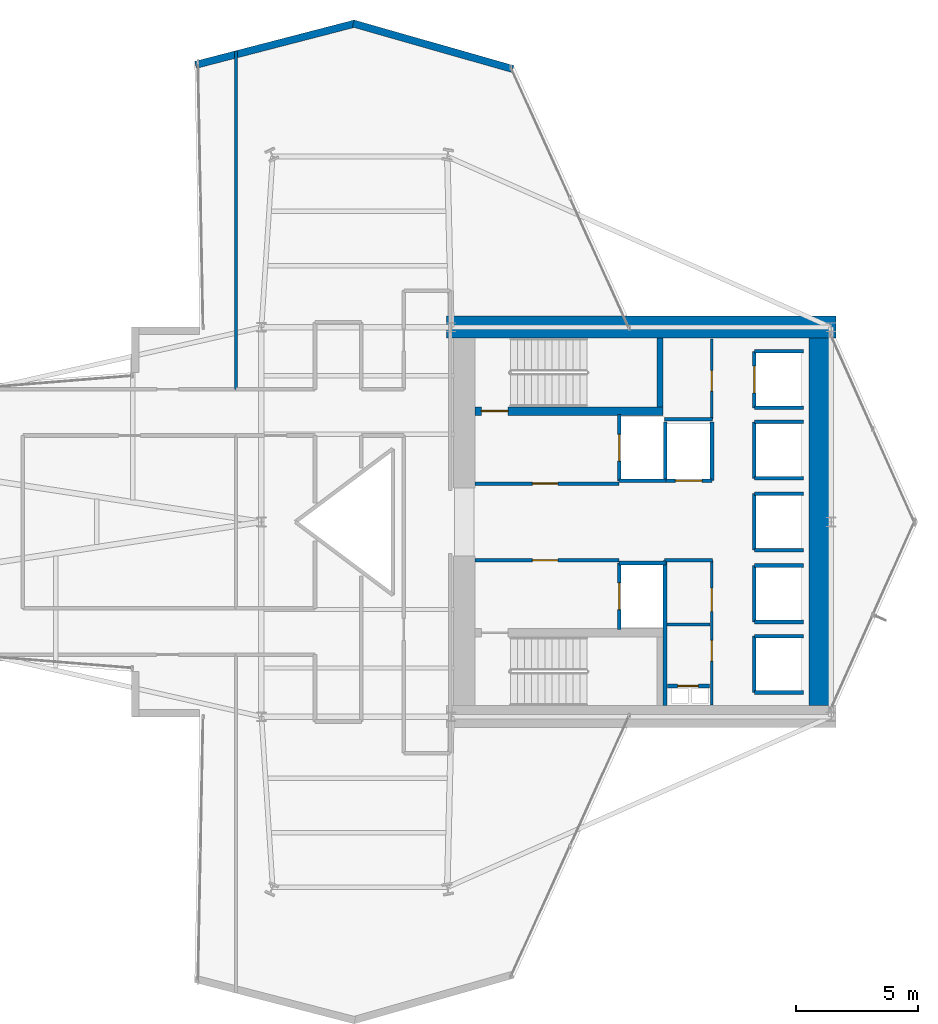
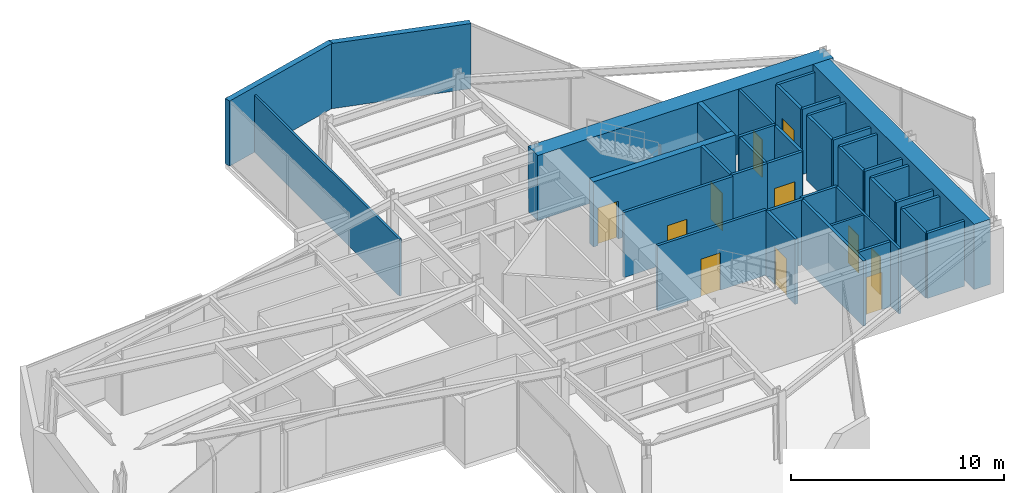
# One storey, part 23 of 25: 38 walls, 11 doors, 11 openings.
"""IFC4 building model written with IfcOpenShell, lengths in metres."""

from ifc_helpers import new_model, si_unit, direction, frame, frame_2d, origin, place, context, subcontext, project, spatial, rectangle, extrude, material, layer, layer_set, type_object, element, fill, save


model = new_model("IFC4")

# Units and contexts
model_context = context("Model", 3, precision=1e-05, world=origin(), true_north=direction((0.0, 1.0)))
body_context = subcontext(model_context, "Body", "Model", "MODEL_VIEW")
ifc_project = project(units=[si_unit("LENGTHUNIT", "METRE"), si_unit("AREAUNIT", "SQUARE_METRE"), si_unit("VOLUMEUNIT", "CUBIC_METRE"), si_unit("PLANEANGLEUNIT", "RADIAN"), si_unit("MASSUNIT", "GRAM", prefix="KILO")], contexts=[model_context])

# Site, building, storey
site_placement = place(None, origin())
site = spatial("IfcSite", under=ifc_project, at=site_placement, CompositionType="ELEMENT")
building_placement = place(site_placement, origin())
building = spatial("IfcBuilding", under=site, at=building_placement, Name="Veymaron Broadcast Tower", CompositionType="ELEMENT")
storey_placement = place(building_placement, frame((0.0, 0.0, 102.60009765625)))
storey = spatial("IfcBuildingStorey", under=building, at=storey_placement, Name="L23", CompositionType="ELEMENT", Elevation=102.60009765625)

# Walls
ifc_material_1 = material(Name="Precast concrete C40/50 with mineral-wool insulation", Category="concrete")
ifc_layer_1 = layer(ifc_material_1, 0.300048828125)
ifc_layer_set_1 = layer_set([ifc_layer_1], Name="Precast concrete C40/50 with mineral-wool insulation")
wall_type_1 = type_object("IfcWallType", Name="WALL-EXT-300", PredefinedType="STANDARD", material=ifc_layer_set_1)
wall_1_placement = place(storey_placement, frame((41.5283203125, 42.60546875, 0.0), z_axis=(0.0, 0.0, 1.0), x_axis=(-0.961657606646, 0.274252889831, 0.0)))
element("IfcWall", 1, at=wall_1_placement, inside=storey, type_object=wall_type_1, Name="L23 notched corner facade pier 6-1", PredefinedType="STANDARD", context=body_context, shape_type="SweptSolid", body=[
    extrude(rectangle(XDim=6.818115234375, YDim=0.300048828125, at=frame_2d((3.4091796875, 0.0))), origin(), (0.0, 0.0, 1.0), 3.72998046875),
])
wall_2_placement = place(storey_placement, frame((35.045166015625, 44.474609375, 0.0), z_axis=(0.0, 0.0, 1.0), x_axis=(-0.967987493138, -0.250998432521, 0.0)))
element("IfcWall", 2, at=wall_2_placement, inside=storey, type_object=wall_type_1, Name="L23 notched corner facade pier 7-1", PredefinedType="STANDARD", context=body_context, shape_type="SweptSolid", body=[
    extrude(rectangle(XDim=6.773681640625, YDim=0.300048828125, at=frame_2d((3.38671875, 0.0))), origin(), (0.0, 0.0, 1.0), 3.72998046875),
])

# Wall, opening, door
ifc_material_2 = material(Name="Gypsum fireboard and steel stud framing", Category="steel")
ifc_layer_2 = layer(ifc_material_2, 0.14990234375)
ifc_layer_set_2 = layer_set([ifc_layer_2], Name="Gypsum fireboard and steel stud framing")
wall_type_2 = type_object("IfcWallType", Name="WALL-FIRE-150", PredefinedType="PARTITIONING", material=ifc_layer_set_2)
wall_3_placement = place(storey_placement, frame((39.97998046875, 25.574951171875, 0.0), z_axis=(0.0, 0.0, 1.0), x_axis=(1.0, 0.0, 0.0)))
wall_3 = element("IfcWall", 3, at=wall_3_placement, inside=storey, type_object=wall_type_2, Name="L23 partition IW-L23-FFLN-S", PredefinedType="PARTITIONING", context=body_context, shape_type="SweptSolid", body=[
    extrude(rectangle(XDim=5.89990234375, YDim=0.14990234375, at=frame_2d((2.949951171875, 0.0))), origin(), (0.0, 0.0, 1.0), 3.72998046875),
])
opening_1_placement = place(wall_3_placement, frame((2.35009765625, 0.0, 0.0)))
opening_1 = element("IfcOpeningElement", 4, at=opening_1_placement, cuts=wall_3, Name="Opening ID-FL1", PredefinedType="OPENING", context=body_context, shape_type="SweptSolid", body=[
    extrude(rectangle(XDim=1.050048828125, YDim=2.14990234375, at=frame_2d((0.52490234375, 1.074951171875))), frame((0.0, 0.0849609375, 0.0), z_axis=(0.0, -1.0, 0.0), x_axis=(1.0, 0.0, 0.0)), (0.0, 0.0, 1.0), 0.169921875),
])
ifc_material_3 = material(Name="Fire-rated painted hollow steel ASTM A653", Category="steel")
door_type_1 = type_object("IfcDoorType", Name="DOOR-FIRE-1050", OperationType="NOTDEFINED", PredefinedType="DOOR", material=ifc_material_3)
door_1_placement = place(opening_1_placement, origin())
door_1 = element("IfcDoor", 5, at=door_1_placement, inside=storey, type_object=door_type_1, Name="L23 door DR-L23-FFLN", OperationType="SINGLE_SWING_LEFT", OverallHeight=2.14990234375, OverallWidth=1.050048828125, PredefinedType="DOOR", context=body_context, shape_type="SweptSolid", body=[
    extrude(rectangle(XDim=1.050048828125, YDim=2.14990234375, at=frame_2d((0.52490234375, 1.074951171875))), frame((0.0, 0.02490234375, 0.0), z_axis=(0.0, -1.0, 0.0), x_axis=(1.0, 0.0, 0.0)), (0.0, 0.0, 1.0), 0.050048828125),
])
fill(opening_1, door_1)

wall_4_placement = place(storey_placement, frame((39.97998046875, 22.425048828125, 0.0), z_axis=(0.0, 0.0, 1.0), x_axis=(1.0, 0.0, 0.0)))
wall_4 = element("IfcWall", 6, at=wall_4_placement, inside=storey, type_object=wall_type_2, Name="L23 partition IW-L23-FFLS-N", PredefinedType="PARTITIONING", context=body_context, shape_type="SweptSolid", body=[
    extrude(rectangle(XDim=5.89990234375, YDim=0.14990234375, at=frame_2d((2.949951171875, 0.0))), origin(), (0.0, 0.0, 1.0), 3.72998046875),
])
opening_2_placement = place(wall_4_placement, frame((2.35009765625, 0.0, 0.0)))
opening_2 = element("IfcOpeningElement", 7, at=opening_2_placement, cuts=wall_4, Name="Opening ID-FL1", PredefinedType="OPENING", context=body_context, shape_type="SweptSolid", body=[
    extrude(rectangle(XDim=1.050048828125, YDim=2.14990234375, at=frame_2d((0.52490234375, 1.074951171875))), frame((0.0, 0.0849609375, 0.0), z_axis=(0.0, -1.0, 0.0), x_axis=(1.0, 0.0, 0.0)), (0.0, 0.0, 1.0), 0.169921875),
])
door_2_placement = place(opening_2_placement, frame((1.050048828125, 0.0, 0.0), z_axis=(0.0, 0.0, 1.0), x_axis=(-1.0, 0.0, 0.0)))
door_2 = element("IfcDoor", 8, at=door_2_placement, inside=storey, type_object=door_type_1, Name="L23 door DR-L23-FFLS", OperationType="SINGLE_SWING_RIGHT", OverallHeight=2.14990234375, OverallWidth=1.050048828125, PredefinedType="DOOR", context=body_context, shape_type="SweptSolid", body=[
    extrude(rectangle(XDim=1.050048828125, YDim=2.14990234375, at=frame_2d((0.52490234375, 1.074951171875))), frame((0.0, 0.02490234375, 0.0), z_axis=(0.0, -1.0, 0.0), x_axis=(1.0, 0.0, 0.0)), (0.0, 0.0, 1.0), 0.050048828125),
])
fill(opening_2, door_2)

wall_5_placement = place(storey_placement, frame((45.89501953125, 25.68994140625, 0.0), z_axis=(0.0, 0.0, 1.0), x_axis=(0.0, 1.0, 0.0)))
wall_5 = element("IfcWall", 9, at=wall_5_placement, inside=storey, type_object=wall_type_2, Name="L23 partition IW-L23-SHW-FFL-1", PredefinedType="PARTITIONING", context=body_context, shape_type="SweptSolid", body=[
    extrude(rectangle(XDim=2.719970703125, YDim=0.14990234375, at=frame_2d((1.35986328125, 0.0))), origin(), (0.0, 0.0, 1.0), 3.72998046875),
])
opening_3_placement = place(wall_5_placement, frame((0.81005859375, 0.0, 0.0)))
opening_3 = element("IfcOpeningElement", 10, at=opening_3_placement, cuts=wall_5, Name="Opening LD", PredefinedType="OPENING", context=body_context, shape_type="SweptSolid", body=[
    extrude(rectangle(XDim=1.10009765625, YDim=2.14990234375, at=frame_2d((0.550048828125, 1.074951171875))), frame((0.0, 0.0849609375, 0.0), z_axis=(0.0, -1.0, 0.0), x_axis=(1.0, 0.0, 0.0)), (0.0, 0.0, 1.0), 0.169921875),
])
ifc_material_4 = material(Name="Brushed stainless steel AISI 304", Category="steel")
door_type_2 = type_object("IfcDoorType", Name="DOOR-LIFT-1100", OperationType="DOUBLE_DOOR_SLIDING", PredefinedType="DOOR", material=ifc_material_4)
door_3_placement = place(opening_3_placement, frame((1.10009765625, 0.0, 0.0), z_axis=(0.0, 0.0, 1.0), x_axis=(-1.0, 0.0, 0.0)))
door_3 = element("IfcDoor", 11, at=door_3_placement, inside=storey, type_object=door_type_2, Name="L23 door LD-L23-FFL-1", OperationType="DOUBLE_DOOR_SLIDING", OverallHeight=2.14990234375, OverallWidth=1.10009765625, PredefinedType="DOOR", context=body_context, shape_type="SweptSolid", body=[
    extrude(rectangle(XDim=1.10009765625, YDim=2.14990234375, at=frame_2d((0.550048828125, 1.074951171875))), frame((0.0, 0.02490234375, 0.0), z_axis=(0.0, -1.0, 0.0), x_axis=(1.0, 0.0, 0.0)), (0.0, 0.0, 1.0), 0.050048828125),
])
fill(opening_3, door_3)

# Wall
wall_6_placement = place(storey_placement, frame((45.89501953125, 25.68994140625, 0.0), z_axis=(0.0, 0.0, 1.0), x_axis=(1.0, 0.0, 0.0)))
element("IfcWall", 12, at=wall_6_placement, inside=storey, type_object=wall_type_2, Name="L23 partition IW-L23-SHS-FFL-1", PredefinedType="PARTITIONING", context=body_context, shape_type="SweptSolid", body=[
    extrude(rectangle(XDim=1.9150390625, YDim=0.14990234375, at=frame_2d((0.95751953125, 0.0))), origin(), (0.0, 0.0, 1.0), 3.72998046875),
])

# Wall, opening, door
wall_7_placement = place(storey_placement, frame((45.89501953125, 19.590087890625, 0.0), z_axis=(0.0, 0.0, 1.0), x_axis=(0.0, 1.0, 0.0)))
wall_7 = element("IfcWall", 13, at=wall_7_placement, inside=storey, type_object=wall_type_2, Name="L23 partition IW-L23-SHW-FFL-2", PredefinedType="PARTITIONING", context=body_context, shape_type="SweptSolid", body=[
    extrude(rectangle(XDim=2.719970703125, YDim=0.14990234375, at=frame_2d((1.35986328125, 0.0))), origin(), (0.0, 0.0, 1.0), 3.72998046875),
])
opening_4_placement = place(wall_7_placement, frame((0.81005859375, 0.0, 0.0)))
opening_4 = element("IfcOpeningElement", 14, at=opening_4_placement, cuts=wall_7, Name="Opening LD", PredefinedType="OPENING", context=body_context, shape_type="SweptSolid", body=[
    extrude(rectangle(XDim=1.10009765625, YDim=2.14990234375, at=frame_2d((0.550048828125, 1.074951171875))), frame((0.0, 0.0849609375, 0.0), z_axis=(0.0, -1.0, 0.0), x_axis=(1.0, 0.0, 0.0)), (0.0, 0.0, 1.0), 0.169921875),
])
door_4_placement = place(opening_4_placement, frame((1.10009765625, 0.0, 0.0), z_axis=(0.0, 0.0, 1.0), x_axis=(-1.0, 0.0, 0.0)))
door_4 = element("IfcDoor", 15, at=door_4_placement, inside=storey, type_object=door_type_2, Name="L23 door LD-L23-FFL-2", OperationType="DOUBLE_DOOR_SLIDING", OverallHeight=2.14990234375, OverallWidth=1.10009765625, PredefinedType="DOOR", context=body_context, shape_type="SweptSolid", body=[
    extrude(rectangle(XDim=1.10009765625, YDim=2.14990234375, at=frame_2d((0.550048828125, 1.074951171875))), frame((0.0, 0.02490234375, 0.0), z_axis=(0.0, -1.0, 0.0), x_axis=(1.0, 0.0, 0.0)), (0.0, 0.0, 1.0), 0.050048828125),
])
fill(opening_4, door_4)

# Wall
wall_8_placement = place(storey_placement, frame((45.89501953125, 22.31005859375, 0.0), z_axis=(0.0, 0.0, 1.0), x_axis=(1.0, 0.0, 0.0)))
element("IfcWall", 16, at=wall_8_placement, inside=storey, type_object=wall_type_2, Name="L23 partition IW-L23-SHN-FFL-2", PredefinedType="PARTITIONING", context=body_context, shape_type="SweptSolid", body=[
    extrude(rectangle(XDim=1.9150390625, YDim=0.14990234375, at=frame_2d((0.95751953125, 0.0))), origin(), (0.0, 0.0, 1.0), 3.72998046875),
])

# Wall, opening, door
wall_9_placement = place(storey_placement, frame((47.7900390625, 25.695068359375, 0.0), z_axis=(0.0, 0.0, 1.0), x_axis=(1.0, 0.0, 0.0)))
wall_9 = element("IfcWall", 17, at=wall_9_placement, inside=storey, type_object=wall_type_2, Name="L23 partition IW-L23-SHS-SL-1", PredefinedType="PARTITIONING", context=body_context, shape_type="SweptSolid", body=[
    extrude(rectangle(XDim=1.919921875, YDim=0.14990234375, at=frame_2d((0.9599609375, 0.0))), origin(), (0.0, 0.0, 1.0), 3.72998046875),
])
opening_5_placement = place(wall_9_placement, frame((0.409912109375, 0.0, 0.0)))
opening_5 = element("IfcOpeningElement", 18, at=opening_5_placement, cuts=wall_9, Name="Opening LD", PredefinedType="OPENING", context=body_context, shape_type="SweptSolid", body=[
    extrude(rectangle(XDim=1.10009765625, YDim=2.14990234375, at=frame_2d((0.550048828125, 1.074951171875))), frame((0.0, 0.0849609375, 0.0), z_axis=(0.0, -1.0, 0.0), x_axis=(1.0, 0.0, 0.0)), (0.0, 0.0, 1.0), 0.169921875),
])
door_5_placement = place(opening_5_placement, frame((1.10009765625, 0.0, 0.0), z_axis=(0.0, 0.0, 1.0), x_axis=(-1.0, 0.0, 0.0)))
door_5 = element("IfcDoor", 19, at=door_5_placement, inside=storey, type_object=door_type_2, Name="L23 door LD-L23-SL-1", OperationType="DOUBLE_DOOR_SLIDING", OverallHeight=2.14990234375, OverallWidth=1.10009765625, PredefinedType="DOOR", context=body_context, shape_type="SweptSolid", body=[
    extrude(rectangle(XDim=1.10009765625, YDim=2.14990234375, at=frame_2d((0.550048828125, 1.074951171875))), frame((0.0, 0.02490234375, 0.0), z_axis=(0.0, -1.0, 0.0), x_axis=(1.0, 0.0, 0.0)), (0.0, 0.0, 1.0), 0.050048828125),
])
fill(opening_5, door_5)

# Walls
for number, where, z_axis, x_axis, name in (
    (20, (47.7900390625, 25.695068359375, 0.0), (0.0, 0.0, 1.0), (0.0, 1.0, 0.0), "L23 partition IW-L23-SHW-SL-1"),
    (21, (49.7099609375, 25.695068359375, 0.0), (0.0, 0.0, 1.0), (0.0, 1.0, 0.0), "L23 partition IW-L23-SHE-SL-1"),
):
    element("IfcWall", number, at=place(storey_placement, frame(where, z_axis=z_axis, x_axis=x_axis)), inside=storey, type_object=wall_type_2, Name=name, PredefinedType="PARTITIONING", context=body_context, shape_type="SweptSolid", body=[
        extrude(rectangle(XDim=2.4150390625, YDim=0.14990234375, at=frame_2d((1.20751953125, 0.0))), origin(), (0.0, 0.0, 1.0), 3.72998046875),
    ])

# Wall, opening, door
wall_10_placement = place(storey_placement, frame((51.445068359375, 28.68994140625, 0.0), z_axis=(0.0, 0.0, 1.0), x_axis=(0.0, 1.0, 0.0)))
wall_10 = element("IfcWall", 22, at=wall_10_placement, inside=storey, type_object=wall_type_2, Name="L23 partition IW-L23-SHW-PL1", PredefinedType="PARTITIONING", context=body_context, shape_type="SweptSolid", body=[
    extrude(rectangle(XDim=2.320068359375, YDim=0.14990234375, at=frame_2d((1.16015625, 0.0))), origin(), (0.0, 0.0, 1.0), 3.72998046875),
])
opening_6_placement = place(wall_10_placement, frame((0.610107421875, 0.0, 0.0)))
opening_6 = element("IfcOpeningElement", 23, at=opening_6_placement, cuts=wall_10, Name="Opening LD", PredefinedType="OPENING", context=body_context, shape_type="SweptSolid", body=[
    extrude(rectangle(XDim=1.10009765625, YDim=2.14990234375, at=frame_2d((0.550048828125, 1.074951171875))), frame((0.0, 0.0849609375, 0.0), z_axis=(0.0, -1.0, 0.0), x_axis=(1.0, 0.0, 0.0)), (0.0, 0.0, 1.0), 0.169921875),
])
door_6_placement = place(opening_6_placement, frame((1.10009765625, 0.0, 0.0), z_axis=(0.0, 0.0, 1.0), x_axis=(-1.0, 0.0, 0.0)))
door_6 = element("IfcDoor", 24, at=door_6_placement, inside=storey, type_object=door_type_2, Name="L23 door LD-L23-PL1", OperationType="DOUBLE_DOOR_SLIDING", OverallHeight=2.14990234375, OverallWidth=1.10009765625, PredefinedType="DOOR", context=body_context, shape_type="SweptSolid", body=[
    extrude(rectangle(XDim=1.10009765625, YDim=2.14990234375, at=frame_2d((0.550048828125, 1.074951171875))), frame((0.0, 0.02490234375, 0.0), z_axis=(0.0, -1.0, 0.0), x_axis=(1.0, 0.0, 0.0)), (0.0, 0.0, 1.0), 0.050048828125),
])
fill(opening_6, door_6)

# Walls
for number, where, z_axis, x_axis, name in (
    (25, (51.445068359375, 28.68994140625, 0.0), (0.0, 0.0, 1.0), (1.0, 0.0, 0.0), "L23 partition IW-L23-SHS-PL1"),
    (26, (51.445068359375, 31.010009765625, 0.0), (0.0, 0.0, 1.0), (1.0, 0.0, 0.0), "L23 partition IW-L23-SHN-PL1"),
):
    element("IfcWall", number, at=place(storey_placement, frame(where, z_axis=z_axis, x_axis=x_axis)), inside=storey, type_object=wall_type_2, Name=name, PredefinedType="PARTITIONING", context=body_context, shape_type="SweptSolid", body=[
        extrude(rectangle(XDim=2.014892578125, YDim=0.14990234375, at=frame_2d((1.00732421875, 0.0))), origin(), (0.0, 0.0, 1.0), 3.72998046875),
    ])
wall_11_placement = place(storey_placement, frame((51.445068359375, 25.7900390625, 0.0), z_axis=(0.0, 0.0, 1.0), x_axis=(0.0, 1.0, 0.0)))
element("IfcWall", 27, at=wall_11_placement, inside=storey, type_object=wall_type_2, Name="L23 partition IW-L23-SHW-PM1", PredefinedType="PARTITIONING", context=body_context, shape_type="SweptSolid", body=[
    extrude(rectangle(XDim=2.320068359375, YDim=0.14990234375, at=frame_2d((1.16015625, 0.0))), origin(), (0.0, 0.0, 1.0), 3.72998046875),
])
for number, where, z_axis, x_axis, name in (
    (28, (51.445068359375, 25.7900390625, 0.0), (0.0, 0.0, 1.0), (1.0, 0.0, 0.0), "L23 partition IW-L23-SHS-PM1"),
    (29, (51.445068359375, 28.110107421875, 0.0), (0.0, 0.0, 1.0), (1.0, 0.0, 0.0), "L23 partition IW-L23-SHN-PM1"),
):
    element("IfcWall", number, at=place(storey_placement, frame(where, z_axis=z_axis, x_axis=x_axis)), inside=storey, type_object=wall_type_2, Name=name, PredefinedType="PARTITIONING", context=body_context, shape_type="SweptSolid", body=[
        extrude(rectangle(XDim=2.014892578125, YDim=0.14990234375, at=frame_2d((1.00732421875, 0.0))), origin(), (0.0, 0.0, 1.0), 3.72998046875),
    ])
wall_12_placement = place(storey_placement, frame((51.445068359375, 19.889892578125, 0.0), z_axis=(0.0, 0.0, 1.0), x_axis=(0.0, 1.0, 0.0)))
element("IfcWall", 30, at=wall_12_placement, inside=storey, type_object=wall_type_2, Name="L23 partition IW-L23-SHW-PM2", PredefinedType="PARTITIONING", context=body_context, shape_type="SweptSolid", body=[
    extrude(rectangle(XDim=2.320068359375, YDim=0.14990234375, at=frame_2d((1.16015625, 0.0))), origin(), (0.0, 0.0, 1.0), 3.72998046875),
])
for number, where, z_axis, x_axis, name in (
    (31, (51.445068359375, 19.889892578125, 0.0), (0.0, 0.0, 1.0), (1.0, 0.0, 0.0), "L23 partition IW-L23-SHS-PM2"),
    (32, (51.445068359375, 22.2099609375, 0.0), (0.0, 0.0, 1.0), (1.0, 0.0, 0.0), "L23 partition IW-L23-SHN-PM2"),
):
    element("IfcWall", number, at=place(storey_placement, frame(where, z_axis=z_axis, x_axis=x_axis)), inside=storey, type_object=wall_type_2, Name=name, PredefinedType="PARTITIONING", context=body_context, shape_type="SweptSolid", body=[
        extrude(rectangle(XDim=2.014892578125, YDim=0.14990234375, at=frame_2d((1.00732421875, 0.0))), origin(), (0.0, 0.0, 1.0), 3.72998046875),
    ])
wall_13_placement = place(storey_placement, frame((51.445068359375, 22.840087890625, 0.0), z_axis=(0.0, 0.0, 1.0), x_axis=(0.0, 1.0, 0.0)))
element("IfcWall", 33, at=wall_13_placement, inside=storey, type_object=wall_type_2, Name="L23 partition IW-L23-SHW-PM3", PredefinedType="PARTITIONING", context=body_context, shape_type="SweptSolid", body=[
    extrude(rectangle(XDim=2.31982421875, YDim=0.14990234375, at=frame_2d((1.159912109375, 0.0))), origin(), (0.0, 0.0, 1.0), 3.72998046875),
])
for number, where, z_axis, x_axis, name in (
    (34, (51.445068359375, 22.840087890625, 0.0), (0.0, 0.0, 1.0), (1.0, 0.0, 0.0), "L23 partition IW-L23-SHS-PM3"),
    (35, (51.445068359375, 25.159912109375, 0.0), (0.0, 0.0, 1.0), (1.0, 0.0, 0.0), "L23 partition IW-L23-SHN-PM3"),
):
    element("IfcWall", number, at=place(storey_placement, frame(where, z_axis=z_axis, x_axis=x_axis)), inside=storey, type_object=wall_type_2, Name=name, PredefinedType="PARTITIONING", context=body_context, shape_type="SweptSolid", body=[
        extrude(rectangle(XDim=2.014892578125, YDim=0.14990234375, at=frame_2d((1.00732421875, 0.0))), origin(), (0.0, 0.0, 1.0), 3.72998046875),
    ])
wall_14_placement = place(storey_placement, frame((51.445068359375, 16.989990234375, 0.0), z_axis=(0.0, 0.0, 1.0), x_axis=(0.0, 1.0, 0.0)))
element("IfcWall", 36, at=wall_14_placement, inside=storey, type_object=wall_type_2, Name="L23 partition IW-L23-SHW-PH1", PredefinedType="PARTITIONING", context=body_context, shape_type="SweptSolid", body=[
    extrude(rectangle(XDim=2.320068359375, YDim=0.14990234375, at=frame_2d((1.16015625, 0.0))), origin(), (0.0, 0.0, 1.0), 3.72998046875),
])
for number, where, z_axis, x_axis, name in (
    (37, (51.445068359375, 16.989990234375, 0.0), (0.0, 0.0, 1.0), (1.0, 0.0, 0.0), "L23 partition IW-L23-SHS-PH1"),
    (38, (51.445068359375, 19.31005859375, 0.0), (0.0, 0.0, 1.0), (1.0, 0.0, 0.0), "L23 partition IW-L23-SHN-PH1"),
):
    element("IfcWall", number, at=place(storey_placement, frame(where, z_axis=z_axis, x_axis=x_axis)), inside=storey, type_object=wall_type_2, Name=name, PredefinedType="PARTITIONING", context=body_context, shape_type="SweptSolid", body=[
        extrude(rectangle(XDim=2.014892578125, YDim=0.14990234375, at=frame_2d((1.00732421875, 0.0))), origin(), (0.0, 0.0, 1.0), 3.72998046875),
    ])

# Wall, opening, door
wall_15_placement = place(storey_placement, frame((47.8798828125, 17.260009765625, 0.0), z_axis=(0.0, 0.0, 1.0), x_axis=(1.0, 0.0, 0.0)))
wall_15 = element("IfcWall", 39, at=wall_15_placement, inside=storey, type_object=wall_type_2, Name="L23 partition IW-L23-RIS-N", PredefinedType="PARTITIONING", context=body_context, shape_type="SweptSolid", body=[
    extrude(rectangle(XDim=1.72021484375, YDim=0.14990234375, at=frame_2d((0.860107421875, 0.0))), origin(), (0.0, 0.0, 1.0), 3.72998046875),
])
opening_7_placement = place(wall_15_placement, frame((0.419921875, 0.0, 0.0)))
opening_7 = element("IfcOpeningElement", 40, at=opening_7_placement, cuts=wall_15, Name="Opening ID-RS1", PredefinedType="OPENING", context=body_context, shape_type="SweptSolid", body=[
    extrude(rectangle(XDim=0.85009765625, YDim=2.14990234375, at=frame_2d((0.425048828125, 1.074951171875))), frame((0.0, 0.0849609375, 0.0), z_axis=(0.0, -1.0, 0.0), x_axis=(1.0, 0.0, 0.0)), (0.0, 0.0, 1.0), 0.169921875),
])
ifc_material_5 = material(Name="Fire-rated powder-coated steel riser leaf", Category="steel")
door_type_3 = type_object("IfcDoorType", Name="DOOR-RIS-850", OperationType="NOTDEFINED", PredefinedType="TRAPDOOR", material=ifc_material_5)
door_7_placement = place(opening_7_placement, origin())
door_7 = element("IfcDoor", 41, at=door_7_placement, inside=storey, type_object=door_type_3, Name="L23 door DR-L23-RIS", OperationType="SINGLE_SWING_LEFT", OverallHeight=2.14990234375, OverallWidth=0.85009765625, PredefinedType="TRAPDOOR", context=body_context, shape_type="SweptSolid", body=[
    extrude(rectangle(XDim=0.85009765625, YDim=2.14990234375, at=frame_2d((0.425048828125, 1.074951171875))), frame((0.0, 0.02490234375, 0.0), z_axis=(0.0, -1.0, 0.0), x_axis=(1.0, 0.0, 0.0)), (0.0, 0.0, 1.0), 0.050048828125),
])
fill(opening_7, door_7)

# Walls
wall_16_placement = place(storey_placement, frame((47.760009765625, 22.425048828125, 0.0), z_axis=(0.0, 0.0, 1.0), x_axis=(1.0, 0.0, 0.0)))
element("IfcWall", 42, at=wall_16_placement, inside=storey, type_object=wall_type_2, Name="L23 partition IW-L23-SM-N", PredefinedType="PARTITIONING", context=body_context, shape_type="SweptSolid", body=[
    extrude(rectangle(XDim=1.9599609375, YDim=0.14990234375, at=frame_2d((0.97998046875, 0.0))), origin(), (0.0, 0.0, 1.0), 3.72998046875),
])
wall_17_placement = place(storey_placement, frame((47.780029296875, 16.449951171875, 0.0), z_axis=(0.0, 0.0, 1.0), x_axis=(0.0, 1.0, 0.0)))
element("IfcWall", 43, at=wall_17_placement, inside=storey, type_object=wall_type_2, Name="L23 partition IW-L23-SM-W", PredefinedType="PARTITIONING", context=body_context, shape_type="SweptSolid", body=[
    extrude(rectangle(XDim=5.97509765625, YDim=0.14990234375, at=frame_2d((2.987548828125, 0.0))), origin(), (0.0, 0.0, 1.0), 3.72998046875),
])
wall_18_placement = place(storey_placement, frame((47.760009765625, 28.219970703125, 0.0), z_axis=(0.0, 0.0, 1.0), x_axis=(1.0, 0.0, 0.0)))
element("IfcWall", 44, at=wall_18_placement, inside=storey, type_object=wall_type_2, Name="L23 partition IW-L23-NM-S", PredefinedType="PARTITIONING", context=body_context, shape_type="SweptSolid", body=[
    extrude(rectangle(XDim=1.9599609375, YDim=0.14990234375, at=frame_2d((0.97998046875, 0.0))), origin(), (0.0, 0.0, 1.0), 3.72998046875),
])
ifc_material_6 = material(Name="Acoustic gypsum board and galvanized stud", Category="gypsum")
ifc_layer_3 = layer(ifc_material_6, 0.1201171875)
ifc_layer_set_3 = layer_set([ifc_layer_3], Name="Acoustic gypsum board and galvanized stud")
wall_type_3 = type_object("IfcWallType", Name="WALL-PART-120", PredefinedType="PARTITIONING", material=ifc_layer_set_3)
wall_19_placement = place(storey_placement, frame((47.860107421875, 19.780029296875, 0.0), z_axis=(0.0, 0.0, 1.0), x_axis=(1.0, 0.0, 0.0)))
element("IfcWall", 45, at=wall_19_placement, inside=storey, type_object=wall_type_3, Name="L23 partition IW-L23-SM-DIV", PredefinedType="PARTITIONING", context=body_context, shape_type="SweptSolid", body=[
    extrude(rectangle(XDim=1.760009765625, YDim=0.1201171875, at=frame_2d((0.8798828125, 0.0))), origin(), (0.0, 0.0, 1.0), 3.72998046875),
])

# Wall, openings, doors
wall_20_placement = place(storey_placement, frame((49.699951171875, 16.47998046875, 0.0), z_axis=(0.0, 0.0, 1.0), x_axis=(0.0, 1.0, 0.0)))
wall_20 = element("IfcWall", 46, at=wall_20_placement, inside=storey, type_object=wall_type_3, Name="L23 partition IW-L23-SM-E", PredefinedType="PARTITIONING", context=body_context, shape_type="SweptSolid", body=[
    extrude(rectangle(XDim=5.945068359375, YDim=0.1201171875, at=frame_2d((2.97265625, 0.0))), origin(), (0.0, 0.0, 1.0), 3.72998046875),
])
opening_8_placement = place(wall_20_placement, frame((1.800048828125, 0.0, 0.0)))
opening_8 = element("IfcOpeningElement", 47, at=opening_8_placement, cuts=wall_20, Name="Opening ID-WC1", PredefinedType="OPENING", context=body_context, shape_type="SweptSolid", body=[
    extrude(rectangle(XDim=0.85009765625, YDim=2.14990234375, at=frame_2d((0.425048828125, 1.074951171875))), frame((0.0, 0.070068359375, 0.0), z_axis=(0.0, -1.0, 0.0), x_axis=(1.0, 0.0, 0.0)), (0.0, 0.0, 1.0), 0.14013671875),
])
opening_9_placement = place(wall_20_placement, frame((3.85009765625, 0.0, 0.0)))
opening_9 = element("IfcOpeningElement", 48, at=opening_9_placement, cuts=wall_20, Name="Opening ID-RM1", PredefinedType="OPENING", context=body_context, shape_type="SweptSolid", body=[
    extrude(rectangle(XDim=0.949951171875, YDim=2.14990234375, at=frame_2d((0.47509765625, 1.074951171875))), frame((0.0, 0.070068359375, 0.0), z_axis=(0.0, -1.0, 0.0), x_axis=(1.0, 0.0, 0.0)), (0.0, 0.0, 1.0), 0.14013671875),
])
ifc_material_7 = material(Name="Moisture-resistant high-pressure laminate timber", Category="wood")
door_type_4 = type_object("IfcDoorType", Name="DOOR-INT-850", OperationType="NOTDEFINED", PredefinedType="DOOR", material=ifc_material_7)
door_8_placement = place(opening_8_placement, frame((0.85009765625, 0.0, 0.0), z_axis=(0.0, 0.0, 1.0), x_axis=(-1.0, 0.0, 0.0)))
door_8 = element("IfcDoor", 49, at=door_8_placement, inside=storey, type_object=door_type_4, Name="L23 door DR-L23-SWC", OperationType="SINGLE_SWING_LEFT", OverallHeight=2.14990234375, OverallWidth=0.85009765625, PredefinedType="DOOR", context=body_context, shape_type="SweptSolid", body=[
    extrude(rectangle(XDim=0.85009765625, YDim=2.14990234375, at=frame_2d((0.425048828125, 1.074951171875))), frame((0.0, 0.02490234375, 0.0), z_axis=(0.0, -1.0, 0.0), x_axis=(1.0, 0.0, 0.0)), (0.0, 0.0, 1.0), 0.050048828125),
])
fill(opening_8, door_8)
ifc_material_8 = material(Name="Acoustic solid-core European oak veneer timber", Category="wood")
door_type_5 = type_object("IfcDoorType", Name="DOOR-INT-950", OperationType="NOTDEFINED", PredefinedType="DOOR", material=ifc_material_8)
door_9_placement = place(opening_9_placement, frame((0.949951171875, 0.0, 0.0), z_axis=(0.0, 0.0, 1.0), x_axis=(-1.0, 0.0, 0.0)))
door_9 = element("IfcDoor", 50, at=door_9_placement, inside=storey, type_object=door_type_5, Name="L23 door DR-L23-AWC", OperationType="SINGLE_SWING_RIGHT", OverallHeight=2.14990234375, OverallWidth=0.949951171875, PredefinedType="DOOR", context=body_context, shape_type="SweptSolid", body=[
    extrude(rectangle(XDim=0.949951171875, YDim=2.14990234375, at=frame_2d((0.47509765625, 1.074951171875))), frame((0.0, 0.02490234375, 0.0), z_axis=(0.0, -1.0, 0.0), x_axis=(1.0, 0.0, 0.0)), (0.0, 0.0, 1.0), 0.050048828125),
])
fill(opening_9, door_9)

# Wall, opening, door
wall_21_placement = place(storey_placement, frame((49.699951171875, 28.219970703125, 0.0), z_axis=(0.0, 0.0, 1.0), x_axis=(0.0, 1.0, 0.0)))
wall_21 = element("IfcWall", 51, at=wall_21_placement, inside=storey, type_object=wall_type_3, Name="L23 partition IW-L23-NM-E", PredefinedType="PARTITIONING", context=body_context, shape_type="SweptSolid", body=[
    extrude(rectangle(XDim=3.300048828125, YDim=0.1201171875, at=frame_2d((1.64990234375, 0.0))), origin(), (0.0, 0.0, 1.0), 3.72998046875),
])
opening_10_placement = place(wall_21_placement, frame((1.14990234375, 0.0, 0.0)))
opening_10 = element("IfcOpeningElement", 52, at=opening_10_placement, cuts=wall_21, Name="Opening ID-WC1", PredefinedType="OPENING", context=body_context, shape_type="SweptSolid", body=[
    extrude(rectangle(XDim=0.85009765625, YDim=2.14990234375, at=frame_2d((0.425048828125, 1.074951171875))), frame((0.0, 0.070068359375, 0.0), z_axis=(0.0, -1.0, 0.0), x_axis=(1.0, 0.0, 0.0)), (0.0, 0.0, 1.0), 0.14013671875),
])
door_10_placement = place(opening_10_placement, frame((0.85009765625, 0.0, 0.0), z_axis=(0.0, 0.0, 1.0), x_axis=(-1.0, 0.0, 0.0)))
door_10 = element("IfcDoor", 53, at=door_10_placement, inside=storey, type_object=door_type_4, Name="L23 door DR-L23-NMR", OperationType="SINGLE_SWING_LEFT", OverallHeight=2.14990234375, OverallWidth=0.85009765625, PredefinedType="DOOR", context=body_context, shape_type="SweptSolid", body=[
    extrude(rectangle(XDim=0.85009765625, YDim=2.14990234375, at=frame_2d((0.425048828125, 1.074951171875))), frame((0.0, 0.02490234375, 0.0), z_axis=(0.0, -1.0, 0.0), x_axis=(1.0, 0.0, 0.0)), (0.0, 0.0, 1.0), 0.050048828125),
])
fill(opening_10, door_10)

# Walls
wall_22_placement = place(storey_placement, frame((30.158935546875, 29.449951171875, 0.0), z_axis=(0.0, 0.0, 1.0), x_axis=(0.0, 1.0, 0.0)))
element("IfcWall", 54, at=wall_22_placement, inside=storey, type_object=wall_type_3, Name="L23 partition IW-L23-P36", PredefinedType="PARTITIONING", context=body_context, shape_type="SweptSolid", body=[
    extrude(rectangle(XDim=13.90234375, YDim=0.1201171875, at=frame_2d((6.951171875, 0.0))), origin(), (0.0, 0.0, 1.0), 3.2578125),
])
ifc_material_9 = material(Name="Concrete C50/60", Category="concrete")
ifc_layer_4 = layer(ifc_material_9, 0.25)
ifc_layer_set_4 = layer_set([ifc_layer_4], Name="Concrete C50/60")
wall_type_4 = type_object("IfcWallType", Name="WALL-SHEAR-250", PredefinedType="SHEAR", material=ifc_layer_set_4)
wall_23_placement = place(storey_placement, frame((47.56494140625, 28.72998046875, 0.0), z_axis=(0.0, 0.0, 1.0), x_axis=(0.0, 1.0, 0.0)))
element("IfcWall", 55, at=wall_23_placement, inside=storey, type_object=wall_type_4, Name="L23 Core Wall north stair east shear", PredefinedType="SHEAR", context=body_context, shape_type="SweptSolid", body=[
    extrude(rectangle(XDim=2.820068359375, YDim=0.25, at=frame_2d((1.41015625, 0.0))), origin(), (0.0, 0.0, 1.0), 3.72998046875),
])

# Wall, opening, door
ifc_layer_5 = layer(ifc_material_9, 0.35009765625)
ifc_layer_set_5 = layer_set([ifc_layer_5], Name="Concrete C50/60")
wall_type_5 = type_object("IfcWallType", Name="WALL-SHEAR-350", PredefinedType="SHEAR", material=ifc_layer_set_5)
wall_24_placement = place(storey_placement, frame((39.97998046875, 28.554931640625, 0.0), z_axis=(0.0, 0.0, 1.0), x_axis=(1.0, 0.0, 0.0)))
wall_24 = element("IfcWall", 56, at=wall_24_placement, inside=storey, type_object=wall_type_5, Name="L23 Core Wall north stair spine", PredefinedType="SHEAR", context=body_context, shape_type="SweptSolid", body=[
    extrude(rectangle(XDim=7.7099609375, YDim=0.35009765625, at=frame_2d((3.85498046875, 0.0))), origin(), (0.0, 0.0, 1.0), 3.72998046875),
])
opening_11_placement = place(wall_24_placement, frame((0.25, 0.0, 0.0)))
opening_11 = element("IfcOpeningElement", 57, at=opening_11_placement, cuts=wall_24, Name="Opening ID-ST1", PredefinedType="OPENING", context=body_context, shape_type="SweptSolid", body=[
    extrude(rectangle(XDim=1.10009765625, YDim=2.14990234375, at=frame_2d((0.550048828125, 1.074951171875))), frame((0.0, 0.18505859375, 0.0), z_axis=(0.0, -1.0, 0.0), x_axis=(1.0, 0.0, 0.0)), (0.0, 0.0, 1.0), 0.3701171875),
])
door_type_6 = type_object("IfcDoorType", Name="DOOR-STAIR-1100", OperationType="NOTDEFINED", PredefinedType="DOOR", material=ifc_material_3)
door_11_placement = place(opening_11_placement, origin())
door_11 = element("IfcDoor", 58, at=door_11_placement, inside=storey, type_object=door_type_6, Name="L23 exit stair ST1 fire door", OperationType="SINGLE_SWING_RIGHT", OverallHeight=2.14990234375, OverallWidth=1.10009765625, PredefinedType="DOOR", context=body_context, shape_type="SweptSolid", body=[
    extrude(rectangle(XDim=1.10009765625, YDim=2.14990234375, at=frame_2d((0.550048828125, 1.074951171875))), frame((0.0, 0.02490234375, 0.0), z_axis=(0.0, -1.0, 0.0), x_axis=(1.0, 0.0, 0.0)), (0.0, 0.0, 1.0), 0.050048828125),
])
fill(opening_11, door_11)

# Walls
ifc_material_10 = material(Name="Concrete C70/85", Category="concrete")
ifc_layer_6 = layer(ifc_material_10, 0.89990234375)
ifc_layer_set_6 = layer_set([ifc_layer_6], Name="Concrete C70/85")
wall_type_6 = type_object("IfcWallType", Name="WALL-SHEAR-900", PredefinedType="SHEAR", material=ifc_layer_set_6)
wall_25_placement = place(storey_placement, frame((38.800048828125, 32.0, 0.0), z_axis=(0.0, 0.0, 1.0), x_axis=(1.0, 0.0, 0.0)))
element("IfcWall", 59, at=wall_25_placement, inside=storey, type_object=wall_type_6, Name="L23 Core Wall north shear", PredefinedType="SHEAR", context=body_context, shape_type="SweptSolid", body=[
    extrude(rectangle(XDim=16.0, YDim=0.89990234375, at=frame_2d((8.0, 0.0))), origin(), (0.0, 0.0, 1.0), 3.72998046875),
])
wall_26_placement = place(storey_placement, frame((54.14990234375, 16.449951171875, 0.0), z_axis=(0.0, 0.0, 1.0), x_axis=(0.0, 1.0, 0.0)))
element("IfcWall", 60, at=wall_26_placement, inside=storey, type_object=wall_type_6, Name="L23 Core Wall east shear", PredefinedType="SHEAR", context=body_context, shape_type="SweptSolid", body=[
    extrude(rectangle(XDim=15.10009765625, YDim=0.89990234375, at=frame_2d((7.550048828125, 0.0))), origin(), (0.0, 0.0, 1.0), 3.72998046875),
])

save(model, "model.ifc")
